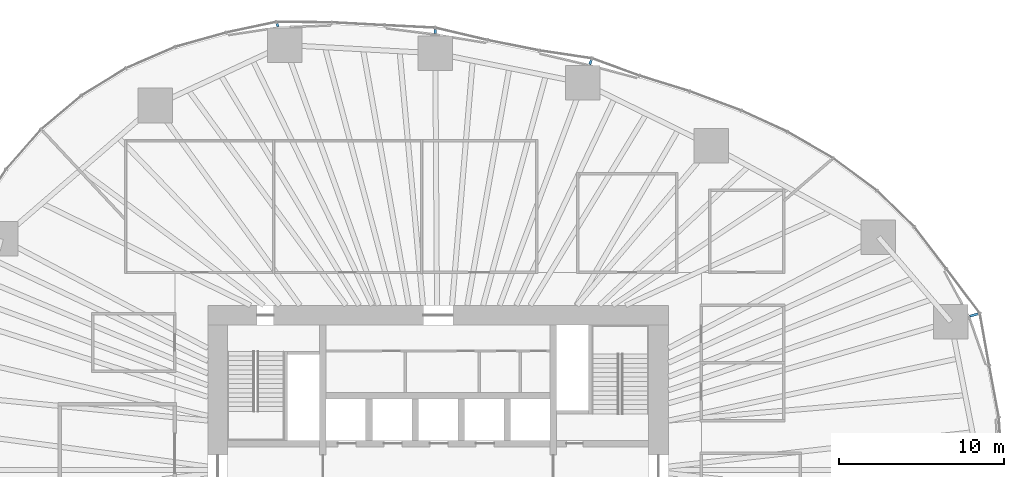
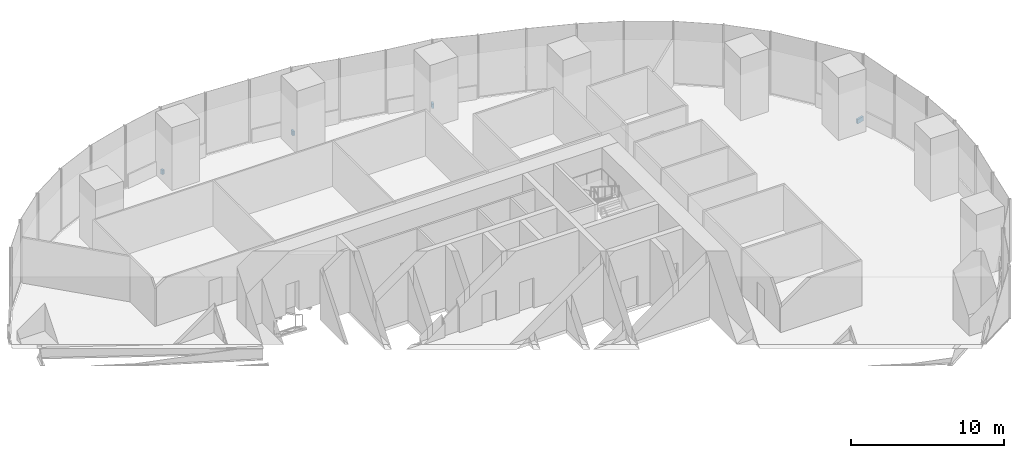
# One storey, part 15 of 20: 4 discrete accessories.
"""IFC4 building model written with IfcOpenShell, lengths in metres."""

from ifc_helpers import new_model, si_unit, direction, frame, origin, origin_2d, place, context, subcontext, project, spatial, rectangle, extrude, material, type_object, element, save


model = new_model("IFC4")

# Units and contexts
model_context = context("Model", 3, precision=1e-05, world=origin(), true_north=direction((0.0, 1.0)))
body_context = subcontext(model_context, "Body", "Model", "MODEL_VIEW")
ifc_project = project(units=[si_unit("LENGTHUNIT", "METRE"), si_unit("AREAUNIT", "SQUARE_METRE"), si_unit("VOLUMEUNIT", "CUBIC_METRE"), si_unit("PLANEANGLEUNIT", "RADIAN"), si_unit("MASSUNIT", "GRAM", prefix="KILO")], contexts=[model_context])

# Site, building, storey
site_placement = place(None, origin())
site = spatial("IfcSite", under=ifc_project, at=site_placement, CompositionType="ELEMENT")
building_placement = place(site_placement, origin())
building = spatial("IfcBuilding", under=site, at=building_placement, Name="Ghaith Harvest Tower", CompositionType="ELEMENT")
storey_placement = place(building_placement, frame((0.0, 0.0, 25.0)))
storey = spatial("IfcBuildingStorey", under=building, at=storey_placement, Name="L05", CompositionType="ELEMENT", Elevation=25.0)

# Discrete accessories
ifc_material_1 = material(Name="Stainless steel grade 1.4401", Category="steel")
discrete_accessory_type_1 = type_object("IfcDiscreteAccessoryType", Name="CURTAIN WALL BRACKET 205", PredefinedType="BRACKET", material=ifc_material_1)
discrete_accessory_1_placement = place(storey_placement, frame((-9.766845703125, 27.04150390625, -0.25), z_axis=(0.0, 0.0, 1.0), x_axis=(-0.339699453402, 0.94053404051, 0.0)))
element("IfcDiscreteAccessory", 1, at=discrete_accessory_1_placement, inside=storey, type_object=discrete_accessory_type_1, Name="CW-F bracket 1 bay 07 L05", PredefinedType="BRACKET", context=body_context, shape_type="SweptSolid", body=[
    extrude(rectangle(XDim=0.205078125, YDim=0.14990234375, at=origin_2d()), origin(), (0.0, 0.0, 1.0), 0.35009765625),
])
ifc_material_2 = material(Name="Stainless steel grade 1.4401", Category="steel")
discrete_accessory_type_2 = type_object("IfcDiscreteAccessoryType", Name="CURTAIN WALL BRACKET 255", PredefinedType="BRACKET", material=ifc_material_2)
discrete_accessory_2_placement = place(storey_placement, frame((-0.182373046875, 26.649658203125, -0.25), z_axis=(0.0, 0.0, 1.0), x_axis=(-0.006843747783, 0.999976581284, 0.0)))
element("IfcDiscreteAccessory", 2, at=discrete_accessory_2_placement, inside=storey, type_object=discrete_accessory_type_2, Name="CW-F bracket 1 bay 06 L05", PredefinedType="BRACKET", context=body_context, shape_type="SweptSolid", body=[
    extrude(rectangle(XDim=0.2548828125, YDim=0.14990234375, at=origin_2d()), origin(), (0.0, 0.0, 1.0), 0.35009765625),
])
ifc_material_3 = material(Name="Stainless steel grade 1.4401", Category="steel")
discrete_accessory_type_3 = type_object("IfcDiscreteAccessoryType", Name="CURTAIN WALL BRACKET 295", PredefinedType="BRACKET", material=ifc_material_3)
discrete_accessory_3_placement = place(storey_placement, frame((9.265380859375, 24.7841796875, -0.25), z_axis=(0.0, 0.0, 1.0), x_axis=(0.35016769709, 0.936687025593, 0.0)))
element("IfcDiscreteAccessory", 3, at=discrete_accessory_3_placement, inside=storey, type_object=discrete_accessory_type_3, Name="CW-F bracket 1 bay 05 L05", PredefinedType="BRACKET", context=body_context, shape_type="SweptSolid", body=[
    extrude(rectangle(XDim=0.294921875, YDim=0.14990234375, at=origin_2d()), origin(), (0.0, 0.0, 1.0), 0.35009765625),
])
ifc_material_4 = material(Name="Stainless steel grade 1.4401", Category="steel")
discrete_accessory_type_4 = type_object("IfcDiscreteAccessoryType", Name="CURTAIN WALL BRACKET 535", PredefinedType="BRACKET", material=ifc_material_4)
discrete_accessory_4_placement = place(storey_placement, frame((32.570556640625, 9.41357421875, -0.25), z_axis=(0.0, 0.0, 1.0), x_axis=(0.960680349985, 0.277656739792, 0.0)))
element("IfcDiscreteAccessory", 4, at=discrete_accessory_4_placement, inside=storey, type_object=discrete_accessory_type_4, Name="CW-F bracket 1 bay 02 L05", PredefinedType="BRACKET", context=body_context, shape_type="SweptSolid", body=[
    extrude(rectangle(XDim=0.534912109375, YDim=0.14990234375, at=origin_2d()), origin(), (0.0, 0.0, 1.0), 0.35009765625),
])

save(model, "model.ifc")
